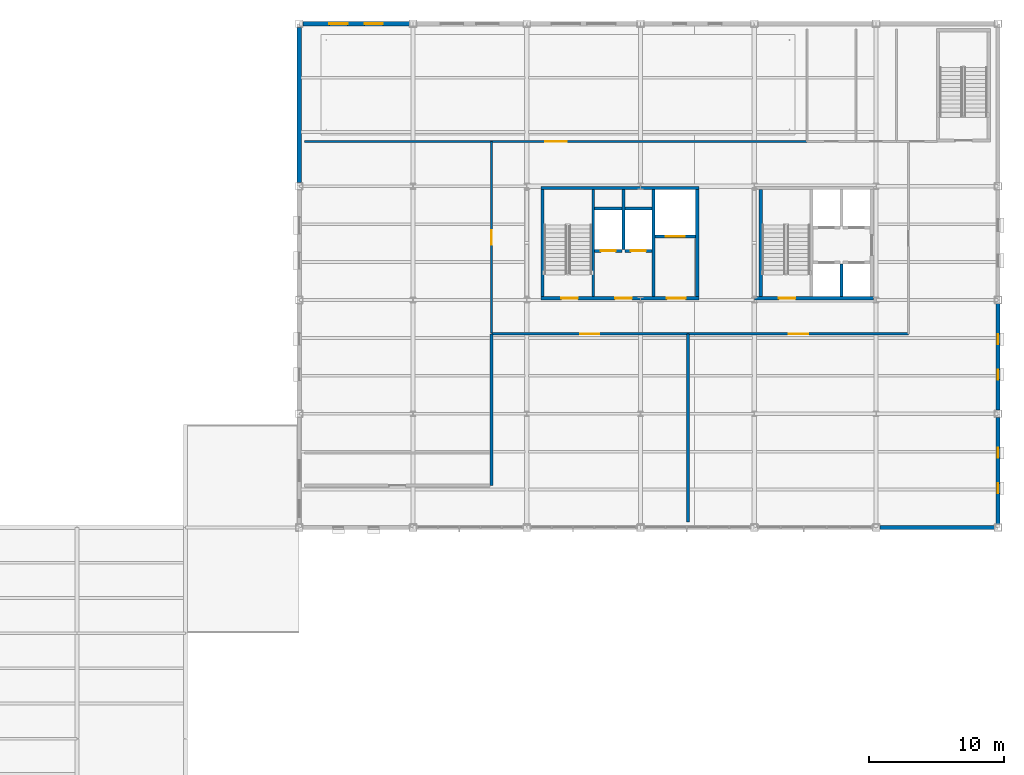
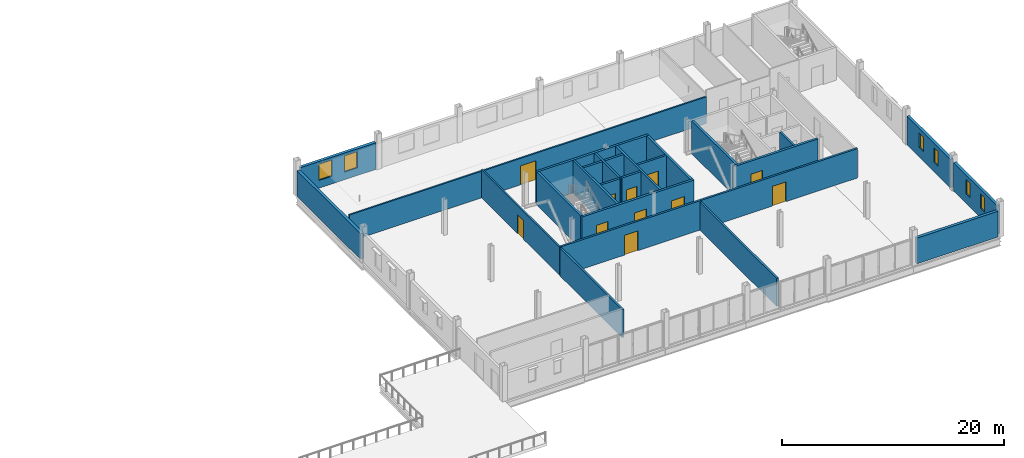
# One storey, part 63 of 77: 26 walls, 11 doors, 6 windows, 17 openings.
"""IFC4 building model written with IfcOpenShell, lengths in metres."""

from ifc_helpers import new_model, si_unit, direction, frame, frame_2d, origin, place, context, subcontext, project, spatial, rectangle, extrude, material, layer, layer_set, type_object, element, fill, save


model = new_model("IFC4")

# Units and contexts
model_context = context("Model", 3, precision=1e-05, world=origin(), true_north=direction((0.0, 1.0)))
body_context = subcontext(model_context, "Body", "Model", "MODEL_VIEW")
ifc_project = project(units=[si_unit("LENGTHUNIT", "METRE"), si_unit("AREAUNIT", "SQUARE_METRE"), si_unit("VOLUMEUNIT", "CUBIC_METRE"), si_unit("PLANEANGLEUNIT", "RADIAN"), si_unit("MASSUNIT", "GRAM", prefix="KILO")], contexts=[model_context])

# Site, building, storey
site_placement = place(None, origin())
site = spatial("IfcSite", under=ifc_project, at=site_placement, CompositionType="ELEMENT")
building_placement = place(site_placement, origin())
building = spatial("IfcBuilding", under=site, at=building_placement, Name="Yukiwa Park Conservatory and Herbarium", CompositionType="ELEMENT")
storey_placement = place(building_placement, frame((0.0, 0.0, 13.199951171875)))
storey = spatial("IfcBuildingStorey", under=building, at=storey_placement, Name="L03", CompositionType="ELEMENT", Elevation=13.199951171875)

# Walls
ifc_material_1 = material(Name="Concrete C40", Category="concrete")
ifc_layer_1 = layer(ifc_material_1, 0.219970703125)
ifc_layer_set_1 = layer_set([ifc_layer_1], Name="Concrete C40")
wall_type_1 = type_object("IfcWallType", Name="WL-CORE-RC220", PredefinedType="SHEAR", material=ifc_layer_set_1)
wall_1_placement = place(storey_placement, frame((138.110107421875, 95.050048828125, 0.0), z_axis=(0.0, 0.0, 1.0), x_axis=(0.0, 1.0, 0.0)))
element("IfcWall", 1, at=wall_1_placement, inside=storey, type_object=wall_type_1, Name="L03 core shear wall 303", PredefinedType="SHEAR", context=body_context, shape_type="SweptSolid", body=[
    extrude(rectangle(XDim=7.89990234375, YDim=0.219970703125, at=frame_2d((3.949951171875, 0.0))), origin(), (0.0, 0.0, 1.0), 3.6201171875),
])
wall_2_placement = place(storey_placement, frame((140.330078125, 98.5400390625, 0.0), z_axis=(0.0, 0.0, 1.0), x_axis=(0.0, 1.0, 0.0)))
element("IfcWall", 2, at=wall_2_placement, inside=storey, type_object=wall_type_1, Name="L03 core shear wall 304", PredefinedType="SHEAR", context=body_context, shape_type="SweptSolid", body=[
    extrude(rectangle(XDim=4.409912109375, YDim=0.219970703125, at=frame_2d((2.205078125, 0.0))), origin(), (0.0, 0.0, 1.0), 3.6201171875),
])
wall_3_placement = place(storey_placement, frame((142.550048828125, 95.050048828125, 0.0), z_axis=(0.0, 0.0, 1.0), x_axis=(0.0, 1.0, 0.0)))
element("IfcWall", 3, at=wall_3_placement, inside=storey, type_object=wall_type_1, Name="L03 core shear wall 305", PredefinedType="SHEAR", context=body_context, shape_type="SweptSolid", body=[
    extrude(rectangle(XDim=7.89990234375, YDim=0.219970703125, at=frame_2d((3.949951171875, 0.0))), origin(), (0.0, 0.0, 1.0), 3.6201171875),
])

# Wall, opening, door
wall_4_placement = place(storey_placement, frame((138.219970703125, 98.429931640625, 0.0), z_axis=(0.0, 0.0, 1.0), x_axis=(1.0, 0.0, 0.0)))
wall_4 = element("IfcWall", 4, at=wall_4_placement, inside=storey, type_object=wall_type_1, Name="L03 core shear wall 307", PredefinedType="SHEAR", context=body_context, shape_type="SweptSolid", body=[
    extrude(rectangle(XDim=2.0, YDim=0.219970703125, at=frame_2d((1.0, 0.0))), origin(), (0.0, 0.0, 1.0), 3.6201171875),
])
opening_1_placement = place(wall_4_placement, frame((0.449951171875, 0.0, 0.0)))
opening_1 = element("IfcOpeningElement", 5, at=opening_1_placement, cuts=wall_4, Name="Opening LD-01", PredefinedType="OPENING", context=body_context, shape_type="SweptSolid", body=[
    extrude(rectangle(XDim=1.10009765625, YDim=2.14990234375, at=frame_2d((0.550048828125, 1.074951171875))), frame((0.0, 0.1201171875, 0.0), z_axis=(0.0, -1.0, 0.0), x_axis=(1.0, 0.0, 0.0)), (0.0, 0.0, 1.0), 0.239990234375),
])
ifc_material_2 = material(Name="Steel Q235B", Category="steel")
door_type_1 = type_object("IfcDoorType", Name="DR-LIFT-LD1100", OperationType="SLIDING_TO_LEFT", PredefinedType="DOOR", material=ifc_material_2)
door_1_placement = place(opening_1_placement, origin())
door_1 = element("IfcDoor", 6, at=door_1_placement, inside=storey, type_object=door_type_1, Name="L03 Firefighting Lift FL1 sliding landing door", OperationType="SLIDING_TO_LEFT", OverallHeight=2.14990234375, OverallWidth=1.10009765625, PredefinedType="DOOR", context=body_context, shape_type="SweptSolid", body=[
    extrude(rectangle(XDim=1.10009765625, YDim=2.14990234375, at=frame_2d((0.550048828125, 1.074951171875))), frame((0.0, 0.02490234375, 0.0), z_axis=(0.0, -1.0, 0.0), x_axis=(1.0, 0.0, 0.0)), (0.0, 0.0, 1.0), 0.050048828125),
])
fill(opening_1, door_1)

wall_5_placement = place(storey_placement, frame((140.43994140625, 98.429931640625, 0.0), z_axis=(0.0, 0.0, 1.0), x_axis=(1.0, 0.0, 0.0)))
wall_5 = element("IfcWall", 7, at=wall_5_placement, inside=storey, type_object=wall_type_1, Name="L03 core shear wall 308", PredefinedType="SHEAR", context=body_context, shape_type="SweptSolid", body=[
    extrude(rectangle(XDim=2.0, YDim=0.219970703125, at=frame_2d((1.0, 0.0))), origin(), (0.0, 0.0, 1.0), 3.6201171875),
])
opening_2_placement = place(wall_5_placement, frame((0.449951171875, 0.0, 0.0)))
opening_2 = element("IfcOpeningElement", 8, at=opening_2_placement, cuts=wall_5, Name="Opening LD-01", PredefinedType="OPENING", context=body_context, shape_type="SweptSolid", body=[
    extrude(rectangle(XDim=1.10009765625, YDim=2.14990234375, at=frame_2d((0.550048828125, 1.074951171875))), frame((0.0, 0.1201171875, 0.0), z_axis=(0.0, -1.0, 0.0), x_axis=(1.0, 0.0, 0.0)), (0.0, 0.0, 1.0), 0.239990234375),
])
door_2_placement = place(opening_2_placement, origin())
door_2 = element("IfcDoor", 9, at=door_2_placement, inside=storey, type_object=door_type_1, Name="L03 Firefighting Lift FL2 sliding landing door", OperationType="SLIDING_TO_LEFT", OverallHeight=2.14990234375, OverallWidth=1.10009765625, PredefinedType="DOOR", context=body_context, shape_type="SweptSolid", body=[
    extrude(rectangle(XDim=1.10009765625, YDim=2.14990234375, at=frame_2d((0.550048828125, 1.074951171875))), frame((0.0, 0.02490234375, 0.0), z_axis=(0.0, -1.0, 0.0), x_axis=(1.0, 0.0, 0.0)), (0.0, 0.0, 1.0), 0.050048828125),
])
fill(opening_2, door_2)

# Walls
for number, where, z_axis, x_axis, name in (
    (10, (138.219970703125, 101.550048828125, 0.0), (0.0, 0.0, 1.0), (1.0, 0.0, 0.0), "L03 core shear wall 309"),
    (11, (140.43994140625, 101.550048828125, 0.0), (0.0, 0.0, 1.0), (1.0, 0.0, 0.0), "L03 core shear wall 310"),
):
    element("IfcWall", number, at=place(storey_placement, frame(where, z_axis=z_axis, x_axis=x_axis)), inside=storey, type_object=wall_type_1, Name=name, PredefinedType="SHEAR", context=body_context, shape_type="SweptSolid", body=[
        extrude(rectangle(XDim=2.0, YDim=0.219970703125, at=frame_2d((1.0, 0.0))), origin(), (0.0, 0.0, 1.0), 3.6201171875),
    ])

# Wall, opening, door
wall_6_placement = place(storey_placement, frame((142.659912109375, 99.489990234375, 0.0), z_axis=(0.0, 0.0, 1.0), x_axis=(1.0, 0.0, 0.0)))
wall_6 = element("IfcWall", 12, at=wall_6_placement, inside=storey, type_object=wall_type_1, Name="L03 core shear wall 311", PredefinedType="SHEAR", context=body_context, shape_type="SweptSolid", body=[
    extrude(rectangle(XDim=3.0, YDim=0.219970703125, at=frame_2d((1.5, 0.0))), origin(), (0.0, 0.0, 1.0), 3.6201171875),
])
opening_3_placement = place(wall_6_placement, frame((0.800048828125, 0.0, 0.0)))
opening_3 = element("IfcOpeningElement", 13, at=opening_3_placement, cuts=wall_6, Name="Opening LD-02", PredefinedType="OPENING", context=body_context, shape_type="SweptSolid", body=[
    extrude(rectangle(XDim=1.39990234375, YDim=2.199951171875, at=frame_2d((0.699951171875, 1.10009765625))), frame((0.0, 0.1201171875, 0.0), z_axis=(0.0, -1.0, 0.0), x_axis=(1.0, 0.0, 0.0)), (0.0, 0.0, 1.0), 0.239990234375),
])
ifc_material_3 = material(Name="Steel Q235B", Category="steel")
door_type_2 = type_object("IfcDoorType", Name="DR-LIFT-LD1400", OperationType="SLIDING_TO_LEFT", PredefinedType="DOOR", material=ifc_material_3)
door_3_placement = place(opening_3_placement, origin())
door_3 = element("IfcDoor", 14, at=door_3_placement, inside=storey, type_object=door_type_2, Name="L03 Goods Lift GL1 sliding landing door", OperationType="SLIDING_TO_LEFT", OverallHeight=2.199951171875, OverallWidth=1.39990234375, PredefinedType="DOOR", context=body_context, shape_type="SweptSolid", body=[
    extrude(rectangle(XDim=1.39990234375, YDim=2.199951171875, at=frame_2d((0.699951171875, 1.10009765625))), frame((0.0, 0.02490234375, 0.0), z_axis=(0.0, -1.0, 0.0), x_axis=(1.0, 0.0, 0.0)), (0.0, 0.0, 1.0), 0.050048828125),
])
fill(opening_3, door_3)

# Wall
wall_7_placement = place(storey_placement, frame((156.43994140625, 95.050048828125, 0.0), z_axis=(0.0, 0.0, 1.0), x_axis=(0.0, 1.0, 0.0)))
element("IfcWall", 15, at=wall_7_placement, inside=storey, type_object=wall_type_1, Name="L03 core shear wall 320", PredefinedType="SHEAR", context=body_context, shape_type="SweptSolid", body=[
    extrude(rectangle(XDim=2.39990234375, YDim=0.219970703125, at=frame_2d((1.199951171875, 0.0))), origin(), (0.0, 0.0, 1.0), 3.6201171875),
])

# Wall, openings, doors
ifc_material_4 = material(Name="Concrete C50", Category="concrete")
ifc_layer_2 = layer(ifc_material_4, 0.239990234375)
ifc_layer_set_2 = layer_set([ifc_layer_2], Name="Concrete C50")
wall_type_2 = type_object("IfcWallType", Name="WL-CORE-RC240", PredefinedType="SHEAR", material=ifc_layer_set_2)
wall_8_placement = place(storey_placement, frame((134.25, 94.929931640625, 0.0), z_axis=(0.0, 0.0, 1.0), x_axis=(1.0, 0.0, 0.0)))
wall_8 = element("IfcWall", 16, at=wall_8_placement, inside=storey, type_object=wall_type_2, Name="L03 core shear wall 300", PredefinedType="SHEAR", context=body_context, shape_type="SweptSolid", body=[
    extrude(rectangle(XDim=11.64990234375, YDim=0.239990234375, at=frame_2d((5.824951171875, 0.0))), origin(), (0.0, 0.0, 1.0), 3.6201171875),
])
opening_4_placement = place(wall_8_placement, frame((1.5, 0.0, 0.0)))
opening_4 = element("IfcOpeningElement", 17, at=opening_4_placement, cuts=wall_8, Name="Opening SD-01", PredefinedType="OPENING", context=body_context, shape_type="SweptSolid", body=[
    extrude(rectangle(XDim=1.219970703125, YDim=2.179931640625, at=frame_2d((0.60986328125, 1.08984375))), frame((0.0, 0.1298828125, 0.0), z_axis=(0.0, -1.0, 0.0), x_axis=(1.0, 0.0, 0.0)), (0.0, 0.0, 1.0), 0.260009765625),
])
opening_5_placement = place(wall_8_placement, frame((5.47998046875, 0.0, 0.0)))
opening_5 = element("IfcOpeningElement", 18, at=opening_5_placement, cuts=wall_8, Name="Opening FD-02", PredefinedType="OPENING", context=body_context, shape_type="SweptSolid", body=[
    extrude(rectangle(XDim=1.239990234375, YDim=2.14990234375, at=frame_2d((0.6201171875, 1.074951171875))), frame((0.0, 0.1298828125, 0.0), z_axis=(0.0, -1.0, 0.0), x_axis=(1.0, 0.0, 0.0)), (0.0, 0.0, 1.0), 0.260009765625),
])
opening_6_placement = place(wall_8_placement, frame((9.300048828125, 0.0, 0.0)))
opening_6 = element("IfcOpeningElement", 19, at=opening_6_placement, cuts=wall_8, Name="Opening FD-06", PredefinedType="OPENING", context=body_context, shape_type="SweptSolid", body=[
    extrude(rectangle(XDim=1.3798828125, YDim=2.14990234375, at=frame_2d((0.68994140625, 1.074951171875))), frame((0.0, 0.1298828125, 0.0), z_axis=(0.0, -1.0, 0.0), x_axis=(1.0, 0.0, 0.0)), (0.0, 0.0, 1.0), 0.260009765625),
])
ifc_material_5 = material(Name="Steel Q235B", Category="steel")
door_type_3 = type_object("IfcDoorType", Name="DR-FIRE-FD60-1400", OperationType="DOUBLE_DOOR_SINGLE_SWING", PredefinedType="DOOR", material=ifc_material_5)
door_4_placement = place(opening_6_placement, frame((1.3798828125, 0.0, 0.0), z_axis=(0.0, 0.0, 1.0), x_axis=(-1.0, 0.0, 0.0)))
door_4 = element("IfcDoor", 20, at=door_4_placement, inside=storey, type_object=door_type_3, Name="L03 Goods Lift Lobby double fire door", OperationType="DOUBLE_DOOR_SINGLE_SWING", OverallHeight=2.14990234375, OverallWidth=1.3798828125, PredefinedType="DOOR", context=body_context, shape_type="SweptSolid", body=[
    extrude(rectangle(XDim=1.3798828125, YDim=2.14990234375, at=frame_2d((0.68994140625, 1.074951171875))), frame((0.0, 0.02490234375, 0.0), z_axis=(0.0, -1.0, 0.0), x_axis=(1.0, 0.0, 0.0)), (0.0, 0.0, 1.0), 0.050048828125),
])
fill(opening_6, door_4)
ifc_material_6 = material(Name="Steel Q235B", Category="steel")
door_type_4 = type_object("IfcDoorType", Name="DR-FIRE-FD90-1200", OperationType="SINGLE_SWING_RIGHT", PredefinedType="DOOR", material=ifc_material_6)
door_5_placement = place(opening_5_placement, frame((1.239990234375, 0.0, 0.0), z_axis=(0.0, 0.0, 1.0), x_axis=(-1.0, 0.0, 0.0)))
door_5 = element("IfcDoor", 21, at=door_5_placement, inside=storey, type_object=door_type_4, Name="L03 Firefighting Lift Lobby fire door", OperationType="SINGLE_SWING_RIGHT", OverallHeight=2.14990234375, OverallWidth=1.239990234375, PredefinedType="DOOR", context=body_context, shape_type="SweptSolid", body=[
    extrude(rectangle(XDim=1.239990234375, YDim=2.14990234375, at=frame_2d((0.6201171875, 1.074951171875))), frame((0.0, 0.02490234375, 0.0), z_axis=(0.0, -1.0, 0.0), x_axis=(1.0, 0.0, 0.0)), (0.0, 0.0, 1.0), 0.050048828125),
])
fill(opening_5, door_5)
ifc_material_7 = material(Name="Steel Q235B", Category="steel")
door_type_5 = type_object("IfcDoorType", Name="DR-STAIR-FD90-1200", OperationType="SINGLE_SWING_LEFT", PredefinedType="DOOR", material=ifc_material_7)
door_6_placement = place(opening_4_placement, origin())
door_6 = element("IfcDoor", 22, at=door_6_placement, inside=storey, type_object=door_type_5, Name="L03 Stairwell ST-T1 fire door", OperationType="SINGLE_SWING_LEFT", OverallHeight=2.179931640625, OverallWidth=1.219970703125, PredefinedType="DOOR", context=body_context, shape_type="SweptSolid", body=[
    extrude(rectangle(XDim=1.219970703125, YDim=2.179931640625, at=frame_2d((0.60986328125, 1.08984375))), frame((0.0, 0.02490234375, 0.0), z_axis=(0.0, -1.0, 0.0), x_axis=(1.0, 0.0, 0.0)), (0.0, 0.0, 1.0), 0.050048828125),
])
fill(opening_4, door_6)

# Walls
wall_9_placement = place(storey_placement, frame((134.25, 103.070068359375, 0.0), z_axis=(0.0, 0.0, 1.0), x_axis=(1.0, 0.0, 0.0)))
element("IfcWall", 23, at=wall_9_placement, inside=storey, type_object=wall_type_2, Name="L03 core shear wall 301", PredefinedType="SHEAR", context=body_context, shape_type="SweptSolid", body=[
    extrude(rectangle(XDim=11.64990234375, YDim=0.239990234375, at=frame_2d((5.824951171875, 0.0))), origin(), (0.0, 0.0, 1.0), 3.6201171875),
])
for number, where, z_axis, x_axis, name in (
    (24, (134.3701171875, 95.050048828125, 0.0), (0.0, 0.0, 1.0), (0.0, 1.0, 0.0), "L03 core shear wall 302"),
    (25, (145.780029296875, 95.050048828125, 0.0), (0.0, 0.0, 1.0), (0.0, 1.0, 0.0), "L03 core shear wall 306"),
):
    element("IfcWall", number, at=place(storey_placement, frame(where, z_axis=z_axis, x_axis=x_axis)), inside=storey, type_object=wall_type_2, Name=name, PredefinedType="SHEAR", context=body_context, shape_type="SweptSolid", body=[
        extrude(rectangle(XDim=7.89990234375, YDim=0.239990234375, at=frame_2d((3.949951171875, 0.0))), origin(), (0.0, 0.0, 1.0), 3.6201171875),
    ])

# Wall, opening, door
wall_10_placement = place(storey_placement, frame((150.02001953125, 94.929931640625, 0.0), z_axis=(0.0, 0.0, 1.0), x_axis=(1.0, 0.0, 0.0)))
wall_10 = element("IfcWall", 26, at=wall_10_placement, inside=storey, type_object=wall_type_2, Name="L03 core shear wall 312", PredefinedType="SHEAR", context=body_context, shape_type="SweptSolid", body=[
    extrude(rectangle(XDim=8.77001953125, YDim=0.239990234375, at=frame_2d((4.385009765625, 0.0))), origin(), (0.0, 0.0, 1.0), 3.6201171875),
])
opening_7_placement = place(wall_10_placement, frame((1.7900390625, 0.0, 0.0)))
opening_7 = element("IfcOpeningElement", 27, at=opening_7_placement, cuts=wall_10, Name="Opening SD-01", PredefinedType="OPENING", context=body_context, shape_type="SweptSolid", body=[
    extrude(rectangle(XDim=1.219970703125, YDim=2.179931640625, at=frame_2d((0.60986328125, 1.08984375))), frame((0.0, 0.1298828125, 0.0), z_axis=(0.0, -1.0, 0.0), x_axis=(1.0, 0.0, 0.0)), (0.0, 0.0, 1.0), 0.260009765625),
])
door_7_placement = place(opening_7_placement, origin())
door_7 = element("IfcDoor", 28, at=door_7_placement, inside=storey, type_object=door_type_5, Name="L03 Stairwell ST-T2 fire door", OperationType="SINGLE_SWING_LEFT", OverallHeight=2.179931640625, OverallWidth=1.219970703125, PredefinedType="DOOR", context=body_context, shape_type="SweptSolid", body=[
    extrude(rectangle(XDim=1.219970703125, YDim=2.179931640625, at=frame_2d((0.60986328125, 1.08984375))), frame((0.0, 0.02490234375, 0.0), z_axis=(0.0, -1.0, 0.0), x_axis=(1.0, 0.0, 0.0)), (0.0, 0.0, 1.0), 0.050048828125),
])
fill(opening_7, door_7)

# Wall
wall_11_placement = place(storey_placement, frame((150.47998046875, 95.050048828125, 0.0), z_axis=(0.0, 0.0, 1.0), x_axis=(0.0, 1.0, 0.0)))
element("IfcWall", 29, at=wall_11_placement, inside=storey, type_object=wall_type_2, Name="L03 core shear wall 314", PredefinedType="SHEAR", context=body_context, shape_type="SweptSolid", body=[
    extrude(rectangle(XDim=7.89990234375, YDim=0.239990234375, at=frame_2d((3.949951171875, 0.0))), origin(), (0.0, 0.0, 1.0), 3.6201171875),
])

# Wall, openings, windows
ifc_material_8 = material(Name="Pale Granite Cladding", Category="masonry")
ifc_layer_3 = layer(ifc_material_8, 0.300048828125)
ifc_layer_set_3 = layer_set([ifc_layer_3], Name="Pale Granite Cladding")
wall_type_3 = type_object("IfcWallType", Name="WL-EXT-GRAN-300", PredefinedType="SOLIDWALL", material=ifc_layer_set_3)
wall_12_placement = place(storey_placement, frame((168.0, 78.27490234375, 0.0), z_axis=(0.0, 0.0, 1.0), x_axis=(0.0, 1.0, 0.0)))
wall_12 = element("IfcWall", 30, at=wall_12_placement, inside=storey, type_object=wall_type_3, Name="L03 exterior envelope wall 243", PredefinedType="SOLIDWALL", context=body_context, shape_type="SweptSolid", body=[
    extrude(rectangle(XDim=7.85009765625, YDim=0.300048828125, at=frame_2d((3.925048828125, 0.0))), origin(), (0.0, 0.0, 1.0), 3.1201171875),
])
opening_8_placement = place(wall_12_placement, frame((2.241943359375, 0.0, 1.050048828125)))
opening_8 = element("IfcOpeningElement", 31, at=opening_8_placement, cuts=wall_12, Name="Opening W-10", PredefinedType="OPENING", context=body_context, shape_type="SweptSolid", body=[
    extrude(rectangle(XDim=0.75, YDim=1.60009765625, at=frame_2d((0.375, 0.800048828125))), frame((0.0, 0.16015625, 0.0), z_axis=(0.0, -1.0, 0.0), x_axis=(1.0, 0.0, 0.0)), (0.0, 0.0, 1.0), 0.320068359375),
])
opening_9_placement = place(wall_12_placement, frame((4.85791015625, 0.0, 1.050048828125)))
opening_9 = element("IfcOpeningElement", 32, at=opening_9_placement, cuts=wall_12, Name="Opening W-10", PredefinedType="OPENING", context=body_context, shape_type="SweptSolid", body=[
    extrude(rectangle(XDim=0.75, YDim=1.60009765625, at=frame_2d((0.375, 0.800048828125))), frame((0.0, 0.16015625, 0.0), z_axis=(0.0, -1.0, 0.0), x_axis=(1.0, 0.0, 0.0)), (0.0, 0.0, 1.0), 0.320068359375),
])
ifc_material_9 = material(Name="Triple Low-E Insulated Glass", Category="glass")
window_type_1 = type_object("IfcWindowType", Name="WN-HB-0750X1600", PartitioningType="SINGLE_PANEL", PredefinedType="WINDOW", material=ifc_material_9)
window_1_placement = place(opening_8_placement, origin())
window_1 = element("IfcWindow", 33, at=window_1_placement, inside=storey, type_object=window_type_1, Name="L03 deep-reveal triple-glazed window 178", OverallHeight=1.60009765625, OverallWidth=0.75, PartitioningType="SINGLE_PANEL", PredefinedType="WINDOW", context=body_context, shape_type="SweptSolid", body=[
    extrude(rectangle(XDim=0.75, YDim=1.60009765625, at=frame_2d((0.375, 0.800048828125))), frame((0.0, 0.030029296875, 0.0), z_axis=(0.0, -1.0, 0.0), x_axis=(1.0, 0.0, 0.0)), (0.0, 0.0, 1.0), 0.06005859375),
])
fill(opening_8, window_1)
window_2_placement = place(opening_9_placement, origin())
window_2 = element("IfcWindow", 34, at=window_2_placement, inside=storey, type_object=window_type_1, Name="L03 deep-reveal triple-glazed window 179", OverallHeight=1.60009765625, OverallWidth=0.75, PartitioningType="SINGLE_PANEL", PredefinedType="WINDOW", context=body_context, shape_type="SweptSolid", body=[
    extrude(rectangle(XDim=0.75, YDim=1.60009765625, at=frame_2d((0.375, 0.800048828125))), frame((0.0, 0.030029296875, 0.0), z_axis=(0.0, -1.0, 0.0), x_axis=(1.0, 0.0, 0.0)), (0.0, 0.0, 1.0), 0.06005859375),
])
fill(opening_9, window_2)

wall_13_placement = place(storey_placement, frame((168.0, 86.675048828125, 0.0), z_axis=(0.0, 0.0, 1.0), x_axis=(0.0, 1.0, 0.0)))
wall_13 = element("IfcWall", 35, at=wall_13_placement, inside=storey, type_object=wall_type_3, Name="L03 exterior envelope wall 244", PredefinedType="SOLIDWALL", context=body_context, shape_type="SweptSolid", body=[
    extrude(rectangle(XDim=7.849853515625, YDim=0.300048828125, at=frame_2d((3.9248046875, 0.0))), origin(), (0.0, 0.0, 1.0), 3.1201171875),
])
opening_10_placement = place(wall_13_placement, frame((2.241943359375, 0.0, 1.050048828125)))
opening_10 = element("IfcOpeningElement", 36, at=opening_10_placement, cuts=wall_13, Name="Opening W-10", PredefinedType="OPENING", context=body_context, shape_type="SweptSolid", body=[
    extrude(rectangle(XDim=0.75, YDim=1.60009765625, at=frame_2d((0.375, 0.800048828125))), frame((0.0, 0.16015625, 0.0), z_axis=(0.0, -1.0, 0.0), x_axis=(1.0, 0.0, 0.0)), (0.0, 0.0, 1.0), 0.320068359375),
])
opening_11_placement = place(wall_13_placement, frame((4.85791015625, 0.0, 1.050048828125)))
opening_11 = element("IfcOpeningElement", 37, at=opening_11_placement, cuts=wall_13, Name="Opening W-10", PredefinedType="OPENING", context=body_context, shape_type="SweptSolid", body=[
    extrude(rectangle(XDim=0.75, YDim=1.60009765625, at=frame_2d((0.375, 0.800048828125))), frame((0.0, 0.16015625, 0.0), z_axis=(0.0, -1.0, 0.0), x_axis=(1.0, 0.0, 0.0)), (0.0, 0.0, 1.0), 0.320068359375),
])
window_3_placement = place(opening_10_placement, origin())
window_3 = element("IfcWindow", 38, at=window_3_placement, inside=storey, type_object=window_type_1, Name="L03 deep-reveal triple-glazed window 180", OverallHeight=1.60009765625, OverallWidth=0.75, PartitioningType="SINGLE_PANEL", PredefinedType="WINDOW", context=body_context, shape_type="SweptSolid", body=[
    extrude(rectangle(XDim=0.75, YDim=1.60009765625, at=frame_2d((0.375, 0.800048828125))), frame((0.0, 0.030029296875, 0.0), z_axis=(0.0, -1.0, 0.0), x_axis=(1.0, 0.0, 0.0)), (0.0, 0.0, 1.0), 0.06005859375),
])
fill(opening_10, window_3)
window_4_placement = place(opening_11_placement, origin())
window_4 = element("IfcWindow", 39, at=window_4_placement, inside=storey, type_object=window_type_1, Name="L03 deep-reveal triple-glazed window 181", OverallHeight=1.60009765625, OverallWidth=0.75, PartitioningType="SINGLE_PANEL", PredefinedType="WINDOW", context=body_context, shape_type="SweptSolid", body=[
    extrude(rectangle(XDim=0.75, YDim=1.60009765625, at=frame_2d((0.375, 0.800048828125))), frame((0.0, 0.030029296875, 0.0), z_axis=(0.0, -1.0, 0.0), x_axis=(1.0, 0.0, 0.0)), (0.0, 0.0, 1.0), 0.06005859375),
])
fill(opening_11, window_4)

wall_14_placement = place(storey_placement, frame((124.52490234375, 115.199951171875, 0.0), z_axis=(0.0, 0.0, 1.0), x_axis=(-1.0, 0.0, 0.0)))
wall_14 = element("IfcWall", 40, at=wall_14_placement, inside=storey, type_object=wall_type_3, Name="L03 exterior envelope wall 252", PredefinedType="SOLIDWALL", context=body_context, shape_type="SweptSolid", body=[
    extrude(rectangle(XDim=7.849853515625, YDim=0.300048828125, at=frame_2d((3.9248046875, 0.0))), origin(), (0.0, 0.0, 1.0), 2.927978515625),
])
opening_12_placement = place(wall_14_placement, frame((1.94189453125, 0.0, 0.85009765625)))
opening_12 = element("IfcOpeningElement", 41, at=opening_12_placement, cuts=wall_14, Name="Opening W-04", PredefinedType="OPENING", context=body_context, shape_type="SweptSolid", body=[
    extrude(rectangle(XDim=1.35009765625, YDim=1.780029296875, at=frame_2d((0.675048828125, 0.89013671875))), frame((0.0, 0.16015625, 0.0), z_axis=(0.0, -1.0, 0.0), x_axis=(1.0, 0.0, 0.0)), (0.0, 0.0, 1.0), 0.320068359375),
])
opening_13_placement = place(wall_14_placement, frame((4.55810546875, 0.0, 0.85009765625)))
opening_13 = element("IfcOpeningElement", 42, at=opening_13_placement, cuts=wall_14, Name="Opening W-04", PredefinedType="OPENING", context=body_context, shape_type="SweptSolid", body=[
    extrude(rectangle(XDim=1.35009765625, YDim=1.780029296875, at=frame_2d((0.675048828125, 0.89013671875))), frame((0.0, 0.16015625, 0.0), z_axis=(0.0, -1.0, 0.0), x_axis=(1.0, 0.0, 0.0)), (0.0, 0.0, 1.0), 0.320068359375),
])
ifc_material_10 = material(Name="Triple Low-E Insulated Glass", Category="glass")
window_type_2 = type_object("IfcWindowType", Name="WN-TW-1350X2100", PartitioningType="SINGLE_PANEL", PredefinedType="WINDOW", material=ifc_material_10)
window_5_placement = place(opening_12_placement, origin())
window_5 = element("IfcWindow", 43, at=window_5_placement, inside=storey, type_object=window_type_2, Name="L03 deep-reveal triple-glazed window 190", OverallHeight=1.780029296875, OverallWidth=1.35009765625, PartitioningType="SINGLE_PANEL", PredefinedType="WINDOW", context=body_context, shape_type="SweptSolid", body=[
    extrude(rectangle(XDim=1.35009765625, YDim=1.780029296875, at=frame_2d((0.675048828125, 0.89013671875))), frame((0.0, 0.030029296875, 0.0), z_axis=(0.0, -1.0, 0.0), x_axis=(1.0, 0.0, 0.0)), (0.0, 0.0, 1.0), 0.06005859375),
])
fill(opening_12, window_5)
window_6_placement = place(opening_13_placement, origin())
window_6 = element("IfcWindow", 44, at=window_6_placement, inside=storey, type_object=window_type_2, Name="L03 deep-reveal triple-glazed window 191", OverallHeight=1.780029296875, OverallWidth=1.35009765625, PartitioningType="SINGLE_PANEL", PredefinedType="WINDOW", context=body_context, shape_type="SweptSolid", body=[
    extrude(rectangle(XDim=1.35009765625, YDim=1.780029296875, at=frame_2d((0.675048828125, 0.89013671875))), frame((0.0, 0.030029296875, 0.0), z_axis=(0.0, -1.0, 0.0), x_axis=(1.0, 0.0, 0.0)), (0.0, 0.0, 1.0), 0.06005859375),
])
fill(opening_13, window_6)

# Walls
wall_15_placement = place(storey_placement, frame((116.39990234375, 114.925048828125, 0.0), z_axis=(0.0, 0.0, 1.0), x_axis=(0.0, -1.0, 0.0)))
element("IfcWall", 45, at=wall_15_placement, inside=storey, type_object=wall_type_3, Name="L03 exterior envelope wall 253", PredefinedType="SOLIDWALL", context=body_context, shape_type="SweptSolid", body=[
    extrude(rectangle(XDim=11.449951171875, YDim=0.300048828125, at=frame_2d((5.72509765625, 0.0))), origin(), (0.0, 0.0, 1.0), 2.828125),
])
wall_16_placement = place(storey_placement, frame((159.27490234375, 78.0, 0.0), z_axis=(0.0, 0.0, 1.0), x_axis=(1.0, 0.0, 0.0)))
element("IfcWall", 46, at=wall_16_placement, inside=storey, type_object=wall_type_3, Name="L03 exterior envelope wall 258", PredefinedType="SOLIDWALL", context=body_context, shape_type="SweptSolid", body=[
    extrude(rectangle(XDim=8.4501953125, YDim=0.300048828125, at=frame_2d((4.22509765625, 0.0))), origin(), (0.0, 0.0, 1.0), 2.828125),
])

# Wall, opening, door
ifc_material_11 = material(Name="Gypsum Board Partition", Category="gypsum")
ifc_layer_4 = layer(ifc_material_11, 0.199951171875)
ifc_layer_set_4 = layer_set([ifc_layer_4], Name="Gypsum Board Partition")
wall_type_4 = type_object("IfcWallType", Name="WL-PART-FIRE-200", PredefinedType="SOLIDWALL", material=ifc_layer_set_4)
wall_17_placement = place(storey_placement, frame((130.60009765625, 92.300048828125, 0.0), z_axis=(0.0, 0.0, 1.0), x_axis=(1.0, 0.0, 0.0)))
wall_17 = element("IfcWall", 47, at=wall_17_placement, inside=storey, type_object=wall_type_4, Name="L03 interior partition wall 339", PredefinedType="SOLIDWALL", context=body_context, shape_type="SweptSolid", body=[
    extrude(rectangle(XDim=14.5, YDim=0.199951171875, at=frame_2d((7.25, 0.0))), origin(), (0.0, 0.0, 1.0), 3.22998046875),
])
opening_14_placement = place(wall_17_placement, frame((6.550048828125, 0.0, 0.0)))
opening_14 = element("IfcOpeningElement", 48, at=opening_14_placement, cuts=wall_17, Name="Opening FD-03", PredefinedType="OPENING", context=body_context, shape_type="SweptSolid", body=[
    extrude(rectangle(XDim=1.419921875, YDim=2.179931640625, at=frame_2d((0.7099609375, 1.08984375))), frame((0.0, 0.10986328125, 0.0), z_axis=(0.0, -1.0, 0.0), x_axis=(1.0, 0.0, 0.0)), (0.0, 0.0, 1.0), 0.219970703125),
])
ifc_material_12 = material(Name="Steel Q235B", Category="steel")
door_type_6 = type_object("IfcDoorType", Name="DR-FIRE-FD90-1400", OperationType="DOUBLE_DOOR_SINGLE_SWING", PredefinedType="DOOR", material=ifc_material_12)
door_8_placement = place(opening_14_placement, origin())
door_8 = element("IfcDoor", 49, at=door_8_placement, inside=storey, type_object=door_type_6, Name="L03 Fungal Herbarium fire door", OperationType="DOUBLE_DOOR_SINGLE_SWING", OverallHeight=2.179931640625, OverallWidth=1.419921875, PredefinedType="DOOR", context=body_context, shape_type="SweptSolid", body=[
    extrude(rectangle(XDim=1.419921875, YDim=2.179931640625, at=frame_2d((0.7099609375, 1.08984375))), frame((0.0, 0.02490234375, 0.0), z_axis=(0.0, -1.0, 0.0), x_axis=(1.0, 0.0, 0.0)), (0.0, 0.0, 1.0), 0.050048828125),
])
fill(opening_14, door_8)

wall_18_placement = place(storey_placement, frame((145.10009765625, 92.300048828125, 0.0), z_axis=(0.0, 0.0, 1.0), x_axis=(1.0, 0.0, 0.0)))
wall_18 = element("IfcWall", 50, at=wall_18_placement, inside=storey, type_object=wall_type_4, Name="L03 interior partition wall 340", PredefinedType="SOLIDWALL", context=body_context, shape_type="SweptSolid", body=[
    extrude(rectangle(XDim=16.2998046875, YDim=0.199951171875, at=frame_2d((8.14990234375, 0.0))), origin(), (0.0, 0.0, 1.0), 3.22998046875),
])
opening_15_placement = place(wall_18_placement, frame((7.449951171875, 0.0, 0.0)))
opening_15 = element("IfcOpeningElement", 51, at=opening_15_placement, cuts=wall_18, Name="Opening FD-03", PredefinedType="OPENING", context=body_context, shape_type="SweptSolid", body=[
    extrude(rectangle(XDim=1.419921875, YDim=2.179931640625, at=frame_2d((0.7099609375, 1.08984375))), frame((0.0, 0.10986328125, 0.0), z_axis=(0.0, -1.0, 0.0), x_axis=(1.0, 0.0, 0.0)), (0.0, 0.0, 1.0), 0.219970703125),
])
door_9_placement = place(opening_15_placement, origin())
door_9 = element("IfcDoor", 52, at=door_9_placement, inside=storey, type_object=door_type_6, Name="L03 Woody Flora Herbarium fire door", OperationType="DOUBLE_DOOR_SINGLE_SWING", OverallHeight=2.179931640625, OverallWidth=1.419921875, PredefinedType="DOOR", context=body_context, shape_type="SweptSolid", body=[
    extrude(rectangle(XDim=1.419921875, YDim=2.179931640625, at=frame_2d((0.7099609375, 1.08984375))), frame((0.0, 0.02490234375, 0.0), z_axis=(0.0, -1.0, 0.0), x_axis=(1.0, 0.0, 0.0)), (0.0, 0.0, 1.0), 0.050048828125),
])
fill(opening_15, door_9)

# Walls
wall_19_placement = place(storey_placement, frame((145.10009765625, 78.39990234375, 0.0), z_axis=(0.0, 0.0, 1.0), x_axis=(0.0, 1.0, 0.0)))
element("IfcWall", 53, at=wall_19_placement, inside=storey, type_object=wall_type_4, Name="L03 interior partition wall 341", PredefinedType="SOLIDWALL", context=body_context, shape_type="SweptSolid", body=[
    extrude(rectangle(XDim=13.900146484375, YDim=0.199951171875, at=frame_2d((6.9501953125, 0.0))), origin(), (0.0, 0.0, 1.0), 3.070068359375),
])
wall_20_placement = place(storey_placement, frame((130.60009765625, 81.10009765625, 0.0), z_axis=(0.0, 0.0, 1.0), x_axis=(0.0, 1.0, 0.0)))
element("IfcWall", 54, at=wall_20_placement, inside=storey, type_object=wall_type_4, Name="L03 interior partition wall 342", PredefinedType="SOLIDWALL", context=body_context, shape_type="SweptSolid", body=[
    extrude(rectangle(XDim=11.199951171875, YDim=0.199951171875, at=frame_2d((5.60009765625, 0.0))), origin(), (0.0, 0.0, 1.0), 3.070068359375),
])

# Wall, opening, door
ifc_material_13 = material(Name="Gypsum Board Partition", Category="gypsum")
ifc_layer_5 = layer(ifc_material_13, 0.159912109375)
ifc_layer_set_5 = layer_set([ifc_layer_5], Name="Gypsum Board Partition")
wall_type_5 = type_object("IfcWallType", Name="WL-PART-GYP-160", PredefinedType="PARTITIONING", material=ifc_layer_set_5)
wall_21_placement = place(storey_placement, frame((116.800048828125, 106.5, 0.0), z_axis=(0.0, 0.0, 1.0), x_axis=(1.0, 0.0, 0.0)))
wall_21 = element("IfcWall", 55, at=wall_21_placement, inside=storey, type_object=wall_type_5, Name="L03 interior partition wall 343", PredefinedType="PARTITIONING", context=body_context, shape_type="SweptSolid", body=[
    extrude(rectangle(XDim=37.099853515625, YDim=0.159912109375, at=frame_2d((18.5498046875, 0.0))), origin(), (0.0, 0.0, 1.0), 2.920166015625),
])
opening_16_placement = place(wall_21_placement, frame((17.75, 0.0, 0.0)))
opening_16 = element("IfcOpeningElement", 56, at=opening_16_placement, cuts=wall_21, Name="Opening GD-16", PredefinedType="OPENING", context=body_context, shape_type="SweptSolid", body=[
    extrude(rectangle(XDim=1.60009765625, YDim=2.10009765625, at=frame_2d((0.800048828125, 1.050048828125))), frame((0.0, 0.08984375, 0.0), z_axis=(0.0, -1.0, 0.0), x_axis=(1.0, 0.0, 0.0)), (0.0, 0.0, 1.0), 0.179931640625),
])
ifc_material_14 = material(Name="Laminated Tempered Safety Glass", Category="glass")
door_type_7 = type_object("IfcDoorType", Name="DR-GLZ-1600", OperationType="DOUBLE_DOOR_SINGLE_SWING", PredefinedType="DOOR", material=ifc_material_14)
door_10_placement = place(opening_16_placement, origin())
door_10 = element("IfcDoor", 57, at=door_10_placement, inside=storey, type_object=door_type_7, Name="L03 Botanical Library double door", OperationType="DOUBLE_DOOR_SINGLE_SWING", OverallHeight=2.10009765625, OverallWidth=1.60009765625, PredefinedType="DOOR", context=body_context, shape_type="SweptSolid", body=[
    extrude(rectangle(XDim=1.60009765625, YDim=2.10009765625, at=frame_2d((0.800048828125, 1.050048828125))), frame((0.0, 0.02490234375, 0.0), z_axis=(0.0, -1.0, 0.0), x_axis=(1.0, 0.0, 0.0)), (0.0, 0.0, 1.0), 0.050048828125),
])
fill(opening_16, door_10)

wall_22_placement = place(storey_placement, frame((130.60009765625, 92.35009765625, 0.0), z_axis=(0.0, 0.0, 1.0), x_axis=(0.0, 1.0, 0.0)))
wall_22 = element("IfcWall", 58, at=wall_22_placement, inside=storey, type_object=wall_type_5, Name="L03 interior partition wall 344", PredefinedType="PARTITIONING", context=body_context, shape_type="SweptSolid", body=[
    extrude(rectangle(XDim=14.14990234375, YDim=0.159912109375, at=frame_2d((7.074951171875, 0.0))), origin(), (0.0, 0.0, 1.0), 3.070068359375),
])
opening_17_placement = place(wall_22_placement, frame((6.52490234375, 0.0, 0.0)))
opening_17 = element("IfcOpeningElement", 59, at=opening_17_placement, cuts=wall_22, Name="Opening ID-11", PredefinedType="OPENING", context=body_context, shape_type="SweptSolid", body=[
    extrude(rectangle(XDim=1.080078125, YDim=2.080078125, at=frame_2d((0.5400390625, 1.0400390625))), frame((0.0, 0.08984375, 0.0), z_axis=(0.0, -1.0, 0.0), x_axis=(1.0, 0.0, 0.0)), (0.0, 0.0, 1.0), 0.179931640625),
])
ifc_material_15 = material(Name="Charred Larch Cladding", Category="wood")
door_type_8 = type_object("IfcDoorType", Name="DR-INT-1100", OperationType="SINGLE_SWING_RIGHT", PredefinedType="DOOR", material=ifc_material_15)
door_11_placement = place(opening_17_placement, origin())
door_11 = element("IfcDoor", 60, at=door_11_placement, inside=storey, type_object=door_type_8, Name="L03 Cataloguing office door", OperationType="SINGLE_SWING_RIGHT", OverallHeight=2.080078125, OverallWidth=1.080078125, PredefinedType="DOOR", context=body_context, shape_type="SweptSolid", body=[
    extrude(rectangle(XDim=1.080078125, YDim=2.080078125, at=frame_2d((0.5400390625, 1.0400390625))), frame((0.0, 0.02490234375, 0.0), z_axis=(0.0, -1.0, 0.0), x_axis=(1.0, 0.0, 0.0)), (0.0, 0.0, 1.0), 0.050048828125),
])
fill(opening_17, door_11)

save(model, "model.ifc")
